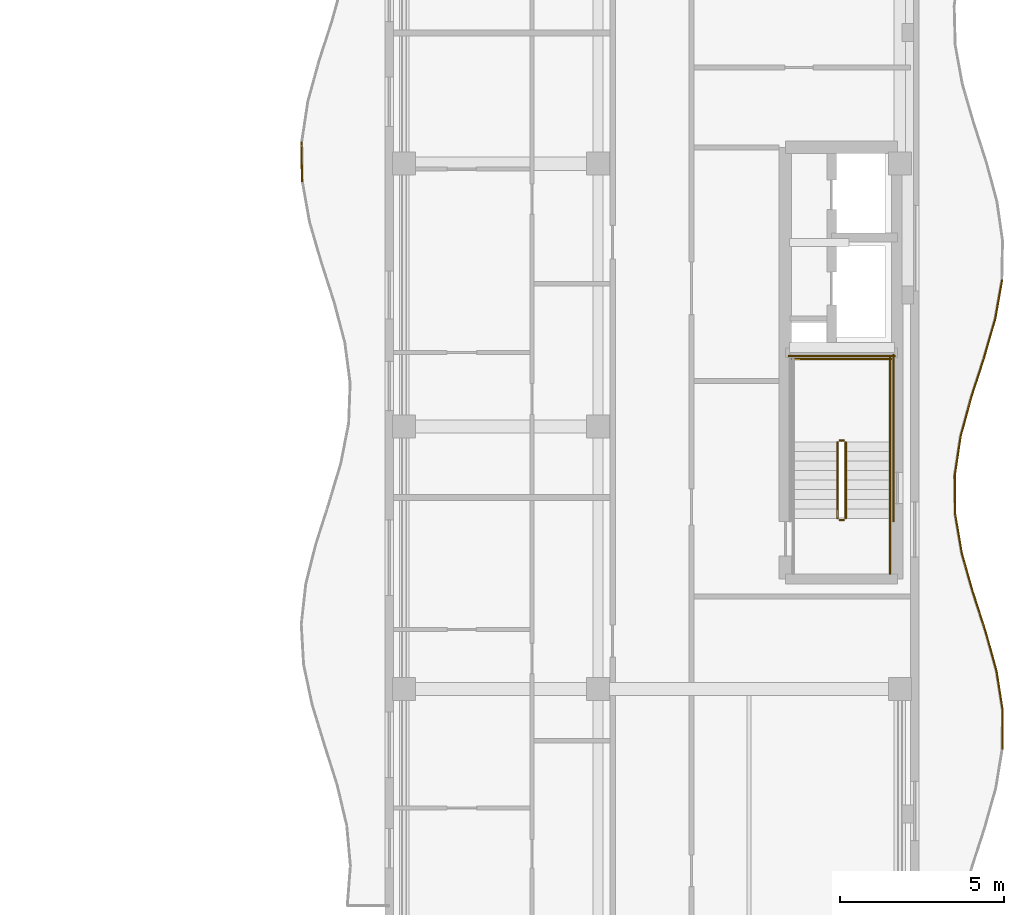
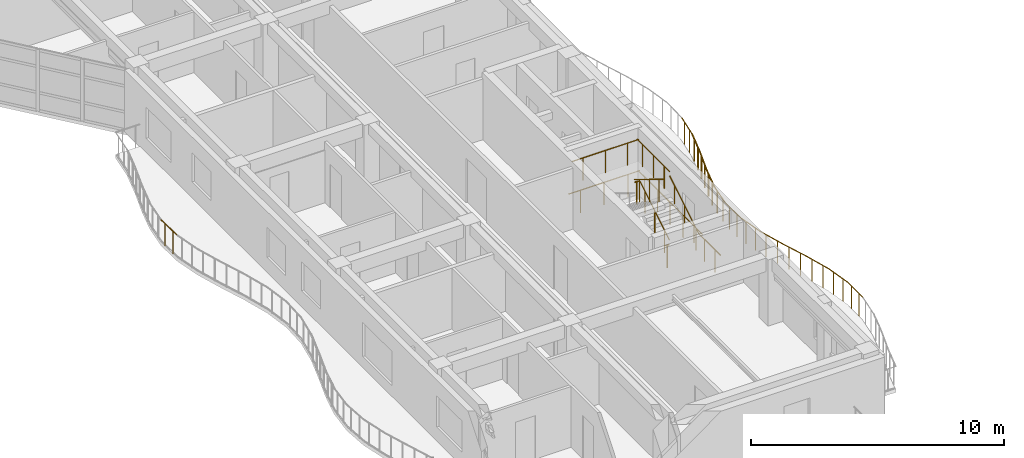
# One storey, part 124 of 128: 23 railings.
"""IFC4 building model written with IfcOpenShell, lengths in metres."""

from ifc_helpers import new_model, si_unit, direction, frame, origin, origin_2d, place, context, subcontext, project, spatial, circle, extrude, material, type_object, element, save


model = new_model("IFC4")

# Units and contexts
model_context = context("Model", 3, precision=1e-05, world=origin(), true_north=direction((0.0, 1.0)))
body_context = subcontext(model_context, "Body", "Model", "MODEL_VIEW")
ifc_project = project(units=[si_unit("LENGTHUNIT", "METRE"), si_unit("AREAUNIT", "SQUARE_METRE"), si_unit("VOLUMEUNIT", "CUBIC_METRE"), si_unit("PLANEANGLEUNIT", "RADIAN"), si_unit("MASSUNIT", "GRAM", prefix="KILO")], contexts=[model_context])

# Site, building, storey
site_placement = place(None, origin())
site = spatial("IfcSite", under=ifc_project, at=site_placement, CompositionType="ELEMENT")
building_placement = place(site_placement, origin())
building = spatial("IfcBuilding", under=site, at=building_placement, Name="Keldmere Railside Commons", CompositionType="ELEMENT")
storey_placement = place(building_placement, frame((0.0, 0.0, 4.159912109375)))
storey = spatial("IfcBuildingStorey", under=building, at=storey_placement, Name="L01", CompositionType="ELEMENT", Elevation=4.159912109375)

# Railings
ifc_material = material(Name="Steel F-24 (S235)", Category="steel")
railing_type_1 = type_object("IfcRailingType", Name="Balcony & Terrace Steel Balustrade 1100", PredefinedType="BALUSTRADE", material=ifc_material)
railing_1_placement = place(storey_placement, frame((165.337158203125, 79.449951171875, 0.0)))
element("IfcRailing", 1, at=railing_1_placement, inside=storey, type_object=railing_type_1, Name="GR-1 GRD-L01-3206", PredefinedType="BALUSTRADE", context=body_context, shape_type="SweptSolid", body=[
    extrude(circle(Radius=0.02392578125, at=origin_2d()), frame((0.0, 0.0, 1.076171875), z_axis=(-0.015741373387, 0.999876096906, 0.0), x_axis=(-0.999876096906, -0.015741373387, 0.0)), (0.0, 0.0, 1.0), 1.225341796875),
    extrude(circle(Radius=0.02099609375, at=origin_2d()), frame((-0.0048828125, 0.30615234375, 0.0)), (0.0, 0.0, 1.0), 1.048095703125),
    extrude(circle(Radius=0.02099609375, at=origin_2d()), frame((-0.014404296875, 0.9189453125, 0.0)), (0.0, 0.0, 1.0), 1.048095703125),
])
railing_2_placement = place(storey_placement, frame((186.672119140625, 62.166748046875, 0.0)))
element("IfcRailing", 2, at=railing_2_placement, inside=storey, type_object=railing_type_1, Name="GR-1 GRD-L01-3218", PredefinedType="BALUSTRADE", context=body_context, shape_type="SweptSolid", body=[
    extrude(circle(Radius=0.02392578125, at=origin_2d()), frame((0.0, 0.0, 1.076171875), z_axis=(0.004507227317, 0.999989842399, 0.0), x_axis=(-0.999989842399, 0.004507227317, 0.0)), (0.0, 0.0, 1.0), 1.191650390625),
    extrude(circle(Radius=0.02099609375, at=origin_2d()), frame((0.00146484375, 0.2978515625, 0.0)), (0.0, 0.0, 1.0), 1.048095703125),
    extrude(circle(Radius=0.02099609375, at=origin_2d()), frame((0.00390625, 0.893798828125, 0.0)), (0.0, 0.0, 1.0), 1.048095703125),
])
railing_3_placement = place(storey_placement, frame((186.677490234375, 63.3583984375, 0.0)))
element("IfcRailing", 3, at=railing_3_placement, inside=storey, type_object=railing_type_1, Name="GR-1 GRD-L01-3219", PredefinedType="BALUSTRADE", context=body_context, shape_type="SweptSolid", body=[
    extrude(circle(Radius=0.02392578125, at=origin_2d()), frame((0.0, 0.0, 1.076171875), z_axis=(-0.155037487824, 0.987908587557, 0.0), x_axis=(-0.987908587557, -0.155037487824, 0.0)), (0.0, 0.0, 1.0), 1.206298828125),
    extrude(circle(Radius=0.02099609375, at=origin_2d()), frame((-0.046875, 0.2978515625, 0.0)), (0.0, 0.0, 1.0), 1.048095703125),
    extrude(circle(Radius=0.02099609375, at=origin_2d()), frame((-0.14013671875, 0.893798828125, 0.0)), (0.0, 0.0, 1.0), 1.048095703125),
])
railing_4_placement = place(storey_placement, frame((186.490478515625, 64.550048828125, 0.0)))
element("IfcRailing", 4, at=railing_4_placement, inside=storey, type_object=railing_type_1, Name="GR-1 GRD-L01-3220", PredefinedType="BALUSTRADE", context=body_context, shape_type="SweptSolid", body=[
    extrude(circle(Radius=0.02392578125, at=origin_2d()), frame((0.0, 0.0, 1.076171875), z_axis=(-0.266574346273, 0.963814358634, 0.0), x_axis=(-0.963814358634, -0.266574346273, 0.0)), (0.0, 0.0, 1.0), 1.236328125),
    extrude(circle(Radius=0.02099609375, at=origin_2d()), frame((-0.08251953125, 0.2978515625, 0.0)), (0.0, 0.0, 1.0), 1.048095703125),
    extrude(circle(Radius=0.02099609375, at=origin_2d()), frame((-0.2470703125, 0.893798828125, 0.0)), (0.0, 0.0, 1.0), 1.048095703125),
])
railing_5_placement = place(storey_placement, frame((186.160888671875, 65.74169921875, 0.0)))
element("IfcRailing", 5, at=railing_5_placement, inside=storey, type_object=railing_type_1, Name="GR-1 GRD-L01-3221", PredefinedType="BALUSTRADE", context=body_context, shape_type="SweptSolid", body=[
    extrude(circle(Radius=0.02392578125, at=origin_2d()), frame((0.0, 0.0, 1.076171875), z_axis=(-0.307794335351, 0.951452913772, 0.0), x_axis=(-0.951452913772, -0.307794335351, 0.0)), (0.0, 0.0, 1.0), 1.25244140625),
    extrude(circle(Radius=0.02099609375, at=origin_2d()), frame((-0.096435546875, 0.2978515625, 0.0)), (0.0, 0.0, 1.0), 1.048095703125),
    extrude(circle(Radius=0.02099609375, at=origin_2d()), frame((-0.2890625, 0.893798828125, 0.0)), (0.0, 0.0, 1.0), 1.048095703125),
])
railing_6_placement = place(storey_placement, frame((185.775390625, 66.933349609375, 0.0)))
element("IfcRailing", 6, at=railing_6_placement, inside=storey, type_object=railing_type_1, Name="GR-1 GRD-L01-3222", PredefinedType="BALUSTRADE", context=body_context, shape_type="SweptSolid", body=[
    extrude(circle(Radius=0.02392578125, at=origin_2d()), frame((0.0, 0.0, 1.076171875), z_axis=(-0.273888243988, 0.961761524394, 0.0), x_axis=(-0.961761524394, -0.273888243988, 0.0)), (0.0, 0.0, 1.0), 1.239013671875),
    extrude(circle(Radius=0.02099609375, at=origin_2d()), frame((-0.0849609375, 0.2978515625, 0.0)), (0.0, 0.0, 1.0), 1.048095703125),
    extrude(circle(Radius=0.02099609375, at=origin_2d()), frame((-0.25439453125, 0.893798828125, 0.0)), (0.0, 0.0, 1.0), 1.048095703125),
])
railing_7_placement = place(storey_placement, frame((185.43603515625, 68.125, 0.0)))
element("IfcRailing", 7, at=railing_7_placement, inside=storey, type_object=railing_type_1, Name="GR-1 GRD-L01-3223", PredefinedType="BALUSTRADE", context=body_context, shape_type="SweptSolid", body=[
    extrude(circle(Radius=0.02392578125, at=origin_2d()), frame((0.0, 0.0, 1.076171875), z_axis=(-0.168229455094, 0.985747863522, 0.0), x_axis=(-0.985747863522, -0.168229455094, 0.0)), (0.0, 0.0, 1.0), 1.208984375),
    extrude(circle(Radius=0.02099609375, at=origin_2d()), frame((-0.05078125, 0.2978515625, 0.0)), (0.0, 0.0, 1.0), 1.048095703125),
    extrude(circle(Radius=0.02099609375, at=origin_2d()), frame((-0.152587890625, 0.893798828125, 0.0)), (0.0, 0.0, 1.0), 1.048095703125),
])
railing_8_placement = place(storey_placement, frame((185.232666015625, 69.316650390625, 0.0)))
element("IfcRailing", 8, at=railing_8_placement, inside=storey, type_object=railing_type_1, Name="GR-1 GRD-L01-3224", PredefinedType="BALUSTRADE", context=body_context, shape_type="SweptSolid", body=[
    extrude(circle(Radius=0.02392578125, at=origin_2d()), frame((0.0, 0.0, 1.076171875), z_axis=(-0.011677138647, 0.999931819892, 0.0), x_axis=(-0.999931819892, -0.011677138647, 0.0)), (0.0, 0.0, 1.0), 1.191650390625),
    extrude(circle(Radius=0.02099609375, at=origin_2d()), frame((-0.00341796875, 0.2978515625, 0.0)), (0.0, 0.0, 1.0), 1.048095703125),
    extrude(circle(Radius=0.02099609375, at=origin_2d()), frame((-0.010498046875, 0.893798828125, 0.0)), (0.0, 0.0, 1.0), 1.048095703125),
])
railing_9_placement = place(storey_placement, frame((185.21875, 70.50830078125, 0.0)))
element("IfcRailing", 9, at=railing_9_placement, inside=storey, type_object=railing_type_1, Name="GR-1 GRD-L01-3225", PredefinedType="BALUSTRADE", context=body_context, shape_type="SweptSolid", body=[
    extrude(circle(Radius=0.02392578125, at=origin_2d()), frame((0.0, 0.0, 1.076171875), z_axis=(0.14890511057, 0.988851489378, 0.0), x_axis=(-0.988851489378, 0.14890511057, 0.0)), (0.0, 0.0, 1.0), 1.205078125),
    extrude(circle(Radius=0.02099609375, at=origin_2d()), frame((0.044921875, 0.2978515625, 0.0)), (0.0, 0.0, 1.0), 1.048095703125),
    extrude(circle(Radius=0.02099609375, at=origin_2d()), frame((0.134521484375, 0.893798828125, 0.0)), (0.0, 0.0, 1.0), 1.048095703125),
])
railing_10_placement = place(storey_placement, frame((185.398193359375, 71.699951171875, 0.0)))
element("IfcRailing", 10, at=railing_10_placement, inside=storey, type_object=railing_type_1, Name="GR-1 GRD-L01-3226", PredefinedType="BALUSTRADE", context=body_context, shape_type="SweptSolid", body=[
    extrude(circle(Radius=0.02392578125, at=origin_2d()), frame((0.0, 0.0, 1.076171875), z_axis=(0.263267919592, 0.964722759405, 0.0), x_axis=(-0.964722759405, 0.263267919592, 0.0)), (0.0, 0.0, 1.0), 1.235107421875),
    extrude(circle(Radius=0.02099609375, at=origin_2d()), frame((0.081298828125, 0.2978515625, 0.0)), (0.0, 0.0, 1.0), 1.048095703125),
    extrude(circle(Radius=0.02099609375, at=origin_2d()), frame((0.243896484375, 0.893798828125, 0.0)), (0.0, 0.0, 1.0), 1.048095703125),
])
railing_11_placement = place(storey_placement, frame((185.723388671875, 72.8916015625, 0.0)))
element("IfcRailing", 11, at=railing_11_placement, inside=storey, type_object=railing_type_1, Name="GR-1 GRD-L01-3227", PredefinedType="BALUSTRADE", context=body_context, shape_type="SweptSolid", body=[
    extrude(circle(Radius=0.02392578125, at=origin_2d()), frame((0.0, 0.0, 1.076171875), z_axis=(0.307617856701, 0.951509986411, 0.0), x_axis=(-0.951509986411, 0.307617856701, 0.0)), (0.0, 0.0, 1.0), 1.25244140625),
    extrude(circle(Radius=0.02099609375, at=origin_2d()), frame((0.09619140625, 0.2978515625, 0.0)), (0.0, 0.0, 1.0), 1.048095703125),
    extrude(circle(Radius=0.02099609375, at=origin_2d()), frame((0.2890625, 0.893798828125, 0.0)), (0.0, 0.0, 1.0), 1.048095703125),
])
railing_12_placement = place(storey_placement, frame((186.108642578125, 74.083251953125, 0.0)))
element("IfcRailing", 12, at=railing_12_placement, inside=storey, type_object=railing_type_1, Name="GR-1 GRD-L01-3228", PredefinedType="BALUSTRADE", context=body_context, shape_type="SweptSolid", body=[
    extrude(circle(Radius=0.02392578125, at=origin_2d()), frame((0.0, 0.0, 1.076171875), z_axis=(0.276800631473, 0.96092737, 0.0), x_axis=(-0.96092737, 0.276800631473, 0.0)), (0.0, 0.0, 1.0), 1.239990234375),
    extrude(circle(Radius=0.02099609375, at=origin_2d()), frame((0.0859375, 0.2978515625, 0.0)), (0.0, 0.0, 1.0), 1.048095703125),
    extrude(circle(Radius=0.02099609375, at=origin_2d()), frame((0.25732421875, 0.893798828125, 0.0)), (0.0, 0.0, 1.0), 1.048095703125),
])
railing_13_placement = place(storey_placement, frame((186.451904296875, 75.27490234375, 0.0)))
element("IfcRailing", 13, at=railing_13_placement, inside=storey, type_object=railing_type_1, Name="GR-1 GRD-L01-3229", PredefinedType="BALUSTRADE", context=body_context, shape_type="SweptSolid", body=[
    extrude(circle(Radius=0.02392578125, at=origin_2d()), frame((0.0, 0.0, 1.076171875), z_axis=(0.174072995633, 0.98473275166, 0.0), x_axis=(-0.98473275166, 0.174072995633, 0.0)), (0.0, 0.0, 1.0), 1.21044921875),
    extrude(circle(Radius=0.02099609375, at=origin_2d()), frame((0.052734375, 0.2978515625, 0.0)), (0.0, 0.0, 1.0), 1.048095703125),
    extrude(circle(Radius=0.02099609375, at=origin_2d()), frame((0.157958984375, 0.89404296875, 0.0)), (0.0, 0.0, 1.0), 1.048095703125),
])
railing_type_2 = type_object("IfcRailingType", Name="Stair Well Steel Guardrail 1100", PredefinedType="BALUSTRADE", material=ifc_material)
railing_14_placement = place(storey_placement, frame((181.89990234375, 69.199951171875, 0.177978515625)))
element("IfcRailing", 14, at=railing_14_placement, inside=storey, type_object=railing_type_2, Name="L01 ST-A1 stair guard 1", PredefinedType="BALUSTRADE", context=body_context, shape_type="SweptSolid", body=[
    extrude(circle(Radius=0.02392578125, at=origin_2d()), frame((0.0, 0.0, 1.076171875), z_axis=(0.0, 0.852578041948, 0.522599925744), x_axis=(-1.0, 0.0, 0.0)), (0.0, 0.0, 1.0), 2.72119140625),
    extrude(circle(Radius=0.02099609375, at=origin_2d()), frame((0.0, 0.38671875, 0.237060546875)), (0.0, 0.0, 1.0), 1.048095703125),
    extrude(circle(Radius=0.02099609375, at=origin_2d()), frame((0.0, 1.16015625, 0.7109375)), (0.0, 0.0, 1.0), 1.048095703125),
    extrude(circle(Radius=0.02099609375, at=origin_2d()), frame((0.0, 1.933349609375, 1.18505859375)), (0.0, 0.0, 1.0), 1.048095703125),
])
railing_15_placement = place(storey_placement, frame((181.85009765625, 71.570068359375, 1.60009765625)))
element("IfcRailing", 15, at=railing_15_placement, inside=storey, type_object=railing_type_2, Name="L01 ST-A1 stair guard 2", PredefinedType="BALUSTRADE", context=body_context, shape_type="SweptSolid", body=[
    extrude(circle(Radius=0.02392578125, at=origin_2d()), frame((0.0, 0.0, 1.076171875), z_axis=(-1.0, 0.0, 0.0), x_axis=(0.0, -1.0, 0.0)), (0.0, 0.0, 1.0), 0.150146484375),
    extrude(circle(Radius=0.02099609375, at=origin_2d()), frame((-0.0751953125, 0.0, 0.0)), (0.0, 0.0, 1.0), 1.048095703125),
])
railing_16_placement = place(storey_placement, frame((183.25, 71.52001953125, 1.60009765625)))
element("IfcRailing", 16, at=railing_16_placement, inside=storey, type_object=railing_type_2, Name="L01 ST-A1 stair guard 3", PredefinedType="BALUSTRADE", context=body_context, shape_type="SweptSolid", body=[
    extrude(circle(Radius=0.02392578125, at=origin_2d()), frame((0.0, 0.0, 1.076171875), z_axis=(0.0, 1.0, 0.0), x_axis=(-1.0, 0.0, 0.0)), (0.0, 0.0, 1.0), 2.580078125),
    extrude(circle(Radius=0.02099609375, at=origin_2d()), frame((0.0, 0.429931640625, 0.0)), (0.0, 0.0, 1.0), 1.048095703125),
    extrude(circle(Radius=0.02099609375, at=origin_2d()), frame((0.0, 1.2900390625, 0.0)), (0.0, 0.0, 1.0), 1.048095703125),
    extrude(circle(Radius=0.02099609375, at=origin_2d()), frame((0.0, 2.150146484375, 0.0)), (0.0, 0.0, 1.0), 1.048095703125),
])
railing_17_placement = place(storey_placement, frame((183.300048828125, 74.050048828125, 1.60009765625)))
element("IfcRailing", 17, at=railing_17_placement, inside=storey, type_object=railing_type_2, Name="L01 ST-A1 stair guard 5", PredefinedType="BALUSTRADE", context=body_context, shape_type="SweptSolid", body=[
    extrude(circle(Radius=0.02392578125, at=origin_2d()), frame((0.0, 0.0, 1.076171875), z_axis=(-1.0, 0.0, 0.0), x_axis=(0.0, -1.0, 0.0)), (0.0, 0.0, 1.0), 3.050048828125),
    extrude(circle(Radius=0.02099609375, at=origin_2d()), frame((-0.50830078125, 0.0, 0.0)), (0.0, 0.0, 1.0), 1.048095703125),
    extrude(circle(Radius=0.02099609375, at=origin_2d()), frame((-1.52490234375, 0.0, 0.0)), (0.0, 0.0, 1.0), 1.048095703125),
    extrude(circle(Radius=0.02099609375, at=origin_2d()), frame((-2.541748046875, 0.0, 0.0)), (0.0, 0.0, 1.0), 1.048095703125),
])
railing_18_placement = place(storey_placement, frame((181.64990234375, 71.52001953125, 1.77783203125)))
element("IfcRailing", 18, at=railing_18_placement, inside=storey, type_object=railing_type_2, Name="L01 ST-A1 stair guard 6", PredefinedType="BALUSTRADE", context=body_context, shape_type="SweptSolid", body=[
    extrude(circle(Radius=0.02392578125, at=origin_2d()), frame((0.0, 0.0, 1.076171875), z_axis=(0.0, -0.852538067394, 0.522665135287), x_axis=(1.0, 0.0, 0.0)), (0.0, 0.0, 1.0), 2.721435546875),
    extrude(circle(Radius=0.02099609375, at=origin_2d()), frame((0.0, -0.38671875, 0.237060546875)), (0.0, 0.0, 1.0), 1.048095703125),
    extrude(circle(Radius=0.02099609375, at=origin_2d()), frame((0.0, -1.16015625, 0.711181640625)), (0.0, 0.0, 1.0), 1.048095703125),
    extrude(circle(Radius=0.02099609375, at=origin_2d()), frame((0.0, -1.933349609375, 1.185302734375)), (0.0, 0.0, 1.0), 1.048095703125),
])
railing_19_placement = place(storey_placement, frame((181.85009765625, 69.14990234375, 0.0)))
element("IfcRailing", 19, at=railing_19_placement, inside=storey, type_object=railing_type_2, Name="L01 ST-A1 stair guard 7", PredefinedType="BALUSTRADE", context=body_context, shape_type="SweptSolid", body=[
    extrude(circle(Radius=0.02392578125, at=origin_2d()), frame((0.0, 0.0, 1.076171875), z_axis=(-1.0, 0.0, 0.0), x_axis=(0.0, -1.0, 0.0)), (0.0, 0.0, 1.0), 0.150146484375),
    extrude(circle(Radius=0.02099609375, at=origin_2d()), frame((-0.0751953125, 0.0, 0.0)), (0.0, 0.0, 1.0), 1.048095703125),
])
railing_20_placement = place(storey_placement, frame((183.25, 67.5, 0.0)))
element("IfcRailing", 20, at=railing_20_placement, inside=storey, type_object=railing_type_2, Name="L01 ST-A1 stair guard 8", PredefinedType="BALUSTRADE", context=body_context, shape_type="SweptSolid", body=[
    extrude(circle(Radius=0.02392578125, at=origin_2d()), frame((0.0, 0.0, 1.076171875), z_axis=(0.0, 1.0, 0.0), x_axis=(-1.0, 0.0, 0.0)), (0.0, 0.0, 1.0), 1.699951171875),
    extrude(circle(Radius=0.02099609375, at=origin_2d()), frame((0.0, 0.425048828125, 0.0)), (0.0, 0.0, 1.0), 1.048095703125),
    extrude(circle(Radius=0.02099609375, at=origin_2d()), frame((0.0, 1.27490234375, 0.0)), (0.0, 0.0, 1.0), 1.048095703125),
])
railing_21_placement = place(storey_placement, frame((183.35009765625, 69.10009765625, 0.0)))
element("IfcRailing", 21, at=railing_21_placement, inside=storey, type_object=railing_type_2, Name="L01 ST-A1 stair guard 10", PredefinedType="BALUSTRADE", context=body_context, shape_type="SweptSolid", body=[
    extrude(circle(Radius=0.02392578125, at=origin_2d()), frame((0.0, 0.0, 1.076171875), z_axis=(0.0, 1.0, 0.0), x_axis=(-1.0, 0.0, 0.0)), (0.0, 0.0, 1.0), 5.099853515625),
    extrude(circle(Radius=0.02099609375, at=origin_2d()), frame((0.0, 0.510009765625, 0.0)), (0.0, 0.0, 1.0), 1.048095703125),
    extrude(circle(Radius=0.02099609375, at=origin_2d()), frame((0.0, 1.530029296875, 0.0)), (0.0, 0.0, 1.0), 1.048095703125),
    extrude(circle(Radius=0.02099609375, at=origin_2d()), frame((0.0, 2.5498046875, 0.0)), (0.0, 0.0, 1.0), 1.048095703125),
    extrude(circle(Radius=0.02099609375, at=origin_2d()), frame((0.0, 3.56982421875, 0.0)), (0.0, 0.0, 1.0), 1.048095703125),
    extrude(circle(Radius=0.02099609375, at=origin_2d()), frame((0.0, 4.58984375, 0.0)), (0.0, 0.0, 1.0), 1.048095703125),
])
railing_22_placement = place(storey_placement, frame((183.39990234375, 74.14990234375, 0.0)))
element("IfcRailing", 22, at=railing_22_placement, inside=storey, type_object=railing_type_2, Name="L01 ST-A1 stair guard 12", PredefinedType="BALUSTRADE", context=body_context, shape_type="SweptSolid", body=[
    extrude(circle(Radius=0.02392578125, at=origin_2d()), frame((0.0, 0.0, 1.076171875), z_axis=(-1.0, 0.0, 0.0), x_axis=(0.0, -1.0, 0.0)), (0.0, 0.0, 1.0), 3.25),
    extrude(circle(Radius=0.02099609375, at=origin_2d()), frame((-0.541748046875, 0.0, 0.0)), (0.0, 0.0, 1.0), 1.048095703125),
    extrude(circle(Radius=0.02099609375, at=origin_2d()), frame((-1.625, 0.0, 0.0)), (0.0, 0.0, 1.0), 1.048095703125),
    extrude(circle(Radius=0.02099609375, at=origin_2d()), frame((-2.708251953125, 0.0, 0.0)), (0.0, 0.0, 1.0), 1.048095703125),
])
railing_type_3 = type_object("IfcRailingType", Name="Wall-Mounted Tubular Steel Handrail 900", PredefinedType="HANDRAIL", material=ifc_material)
railing_23_placement = place(storey_placement, frame((183.25, 69.199951171875, 0.177978515625)))
element("IfcRailing", 23, at=railing_23_placement, inside=storey, type_object=railing_type_3, Name="L01 ST-A1 stair handrail 1", PredefinedType="HANDRAIL", context=body_context, shape_type="SweptSolid", body=[
    extrude(circle(Radius=0.02392578125, at=origin_2d()), frame((0.0, 0.0, 0.8759765625), z_axis=(0.0, 0.852578041948, 0.522599925744), x_axis=(-1.0, 0.0, 0.0)), (0.0, 0.0, 1.0), 2.72119140625),
    extrude(circle(Radius=0.02099609375, at=origin_2d()), frame((0.0, 0.38671875, 0.237060546875)), (0.0, 0.0, 1.0), 0.847900390625),
    extrude(circle(Radius=0.02099609375, at=origin_2d()), frame((0.0, 1.16015625, 0.7109375)), (0.0, 0.0, 1.0), 0.847900390625),
    extrude(circle(Radius=0.02099609375, at=origin_2d()), frame((0.0, 1.933349609375, 1.18505859375)), (0.0, 0.0, 1.0), 0.847900390625),
])

save(model, "model.ifc")
